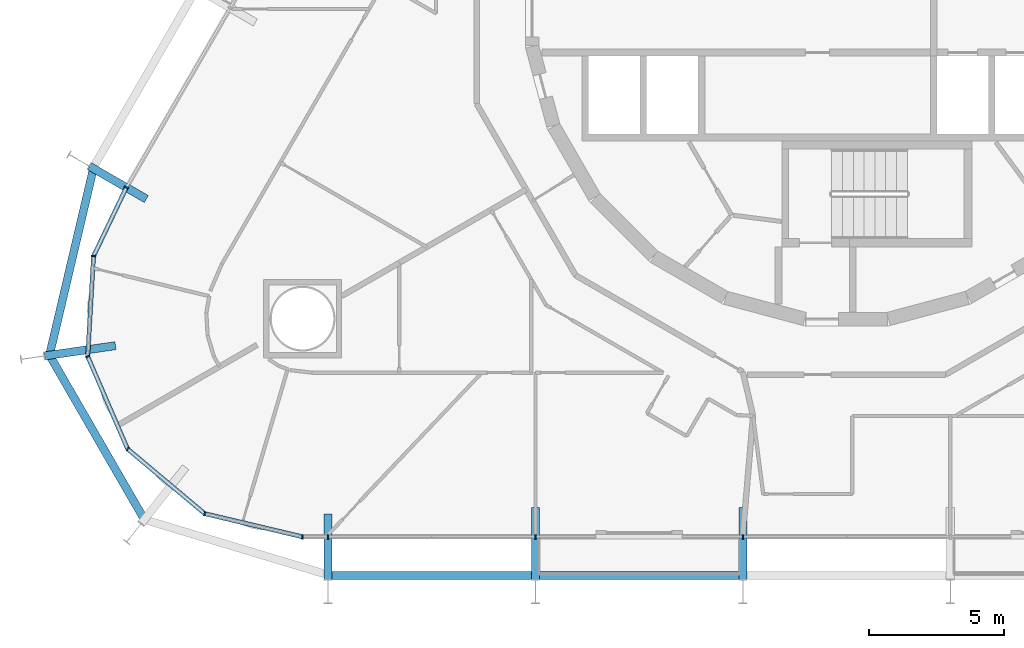
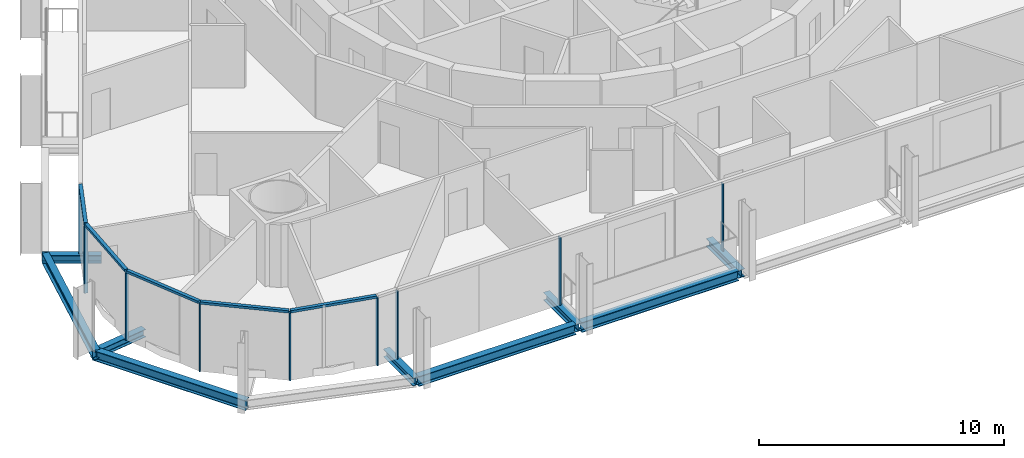
# One storey, part 3 of 20: 14 members, 9 beams, 2 elements without a shape of their own.
"""IFC4 building model written with IfcOpenShell, lengths in metres."""

from ifc_helpers import new_model, si_unit, direction, frame, origin, origin_2d, place, context, subcontext, project, spatial, rectangle, i_section, extrude, material, layer, layer_set, material_profile, profile_set, type_object, element, aggregate, save


model = new_model("IFC4")

# Units and contexts
model_context = context("Model", 3, precision=1e-05, world=origin(), true_north=direction((0.0, 1.0)))
body_context = subcontext(model_context, "Body", "Model", "MODEL_VIEW")
ifc_project = project(units=[si_unit("LENGTHUNIT", "METRE"), si_unit("AREAUNIT", "SQUARE_METRE"), si_unit("VOLUMEUNIT", "CUBIC_METRE"), si_unit("PLANEANGLEUNIT", "RADIAN"), si_unit("MASSUNIT", "GRAM", prefix="KILO")], contexts=[model_context])

# Site, building, storey
site_placement = place(None, origin())
site = spatial("IfcSite", under=ifc_project, at=site_placement, CompositionType="ELEMENT")
building_placement = place(site_placement, origin())
building = spatial("IfcBuilding", under=site, at=building_placement, Name="Spindle Arch Residences", CompositionType="ELEMENT")
storey_placement = place(building_placement, frame((0.0, 0.0, 59.39990234375)))
storey = spatial("IfcBuildingStorey", under=building, at=storey_placement, Name="L13", CompositionType="ELEMENT", Elevation=59.39990234375)

# Curtain wall, members
ifc_material_1 = material(Name="Aluminium bronze unitised frame with tinted glass", Category="aluminium")
ifc_layer_1 = layer(ifc_material_1, 0.159912109375)
ifc_layer_set_1 = layer_set([ifc_layer_1], Name="CW-D corner wall on the fillet arcs")
curtain_wall_type_1 = type_object("IfcCurtainWallType", Name="CW-D corner wall on the fillet arcs", PredefinedType="NOTDEFINED", material=ifc_layer_set_1)
curtain_wall_1_placement = place(storey_placement, origin())
curtain_wall_1 = element("IfcCurtainWall", 1, at=curtain_wall_1_placement, inside=storey, type_object=curtain_wall_type_1, Name="CW-D L13 run 5", PredefinedType="NOTDEFINED")
ifc_material_2 = material(Name="Aluminium bronze anodised mullion", Category="aluminium")
ifc_material_profile_1 = material_profile(ifc_material_2, rectangle(XDim=0.159912109375, YDim=0.06005859375, at=origin_2d()), Name="MU 60x160")
ifc_profile_set_1 = profile_set([ifc_material_profile_1], Name="Aluminium bronze anodised mullion")
member_type_1 = type_object("IfcMemberType", Name="Bronze mullion 60x160", PredefinedType="MULLION", material=ifc_profile_set_1)
member_1_placement = place(storey_placement, frame((-26.66943359375, -6.77294921875, -0.3798828125), z_axis=(0.0, 0.0, 1.0), x_axis=(0.902111889092, -0.431502189519, 0.0)))
member_1 = element("IfcMember", 2, at=member_1_placement, type_object=member_type_1, Name="CW-D mullion 00", PredefinedType="MULLION", context=body_context, shape_type="SweptSolid", body=[
    extrude(rectangle(XDim=0.159912109375, YDim=0.06005859375, at=origin_2d()), origin(), (0.0, 0.0, 1.0), 3.3798828125),
])
member_2_placement = place(storey_placement, frame((-27.884033203125, -9.3125, -0.3798828125), z_axis=(0.0, 0.0, 1.0), x_axis=(0.99830815821, -0.058144829968, 0.0)))
member_2 = element("IfcMember", 3, at=member_2_placement, type_object=member_type_1, Name="CW-D mullion 01", PredefinedType="MULLION", context=body_context, shape_type="SweptSolid", body=[
    extrude(rectangle(XDim=0.159912109375, YDim=0.06005859375, at=origin_2d()), origin(), (0.0, 0.0, 1.0), 3.3798828125),
])
member_3_placement = place(storey_placement, frame((-28.100830078125, -13.032958984375, -0.3798828125), z_axis=(0.0, 0.0, 1.0), x_axis=(0.918216106599, 0.396079766691, 0.0)))
member_3 = element("IfcMember", 4, at=member_3_placement, type_object=member_type_1, Name="CW-D mullion 02", PredefinedType="MULLION", context=body_context, shape_type="SweptSolid", body=[
    extrude(rectangle(XDim=0.159912109375, YDim=0.06005859375, at=origin_2d()), origin(), (0.0, 0.0, 1.0), 3.3798828125),
])
member_4_placement = place(storey_placement, frame((-26.624755859375, -16.454833984375, -0.3798828125), z_axis=(0.0, 0.0, 1.0), x_axis=(0.64278760716, 0.766044445239, 0.0)))
member_4 = element("IfcMember", 5, at=member_4_placement, type_object=member_type_1, Name="CW-D mullion 03", PredefinedType="MULLION", context=body_context, shape_type="SweptSolid", body=[
    extrude(rectangle(XDim=0.159912109375, YDim=0.06005859375, at=origin_2d()), origin(), (0.0, 0.0, 1.0), 3.3798828125),
])
member_5_placement = place(storey_placement, frame((-23.769775390625, -18.850341796875, -0.3798828125), z_axis=(0.0, 0.0, 1.0), x_axis=(0.230615868852, 0.973044871028, 0.0)))
member_5 = element("IfcMember", 6, at=member_5_placement, type_object=member_type_1, Name="CW-D mullion 04", PredefinedType="MULLION", context=body_context, shape_type="SweptSolid", body=[
    extrude(rectangle(XDim=0.159912109375, YDim=0.06005859375, at=origin_2d()), origin(), (0.0, 0.0, 1.0), 3.3798828125),
])
member_6_placement = place(storey_placement, frame((-20.1435546875, -19.7099609375, -0.3798828125), z_axis=(0.0, 0.0, 1.0), x_axis=(0.0, 1.0, 0.0)))
member_6 = element("IfcMember", 7, at=member_6_placement, type_object=member_type_1, Name="CW-D mullion 05", PredefinedType="MULLION", context=body_context, shape_type="SweptSolid", body=[
    extrude(rectangle(XDim=0.159912109375, YDim=0.06005859375, at=origin_2d()), origin(), (0.0, 0.0, 1.0), 3.3798828125),
])

ifc_material_3 = material(Name="Aluminium bronze unitised frame with tinted glass", Category="aluminium")
ifc_layer_2 = layer(ifc_material_3, 0.159912109375)
ifc_layer_set_2 = layer_set([ifc_layer_2], Name="CW-C typical residential unitised wall")
curtain_wall_type_2 = type_object("IfcCurtainWallType", Name="CW-C typical residential unitised wall", PredefinedType="NOTDEFINED", material=ifc_layer_set_2)
curtain_wall_2_placement = place(storey_placement, origin())
curtain_wall_2 = element("IfcCurtainWall", 8, at=curtain_wall_2_placement, inside=storey, type_object=curtain_wall_type_2, Name="CW-C L13 run 6", PredefinedType="NOTDEFINED")
member_7_placement = place(storey_placement, frame((-19.2001953125, -19.7099609375, -0.3798828125), z_axis=(0.0, 0.0, 1.0), x_axis=(0.0, 1.0, 0.0)))
member_7 = element("IfcMember", 9, at=member_7_placement, type_object=member_type_1, Name="CW-C mullion 21", PredefinedType="MULLION", context=body_context, shape_type="SweptSolid", body=[
    extrude(rectangle(XDim=0.159912109375, YDim=0.06005859375, at=origin_2d()), origin(), (0.0, 0.0, 1.0), 3.3798828125),
])
member_8_placement = place(storey_placement, frame((-11.52001953125, -19.7099609375, -0.3798828125), z_axis=(0.0, 0.0, 1.0), x_axis=(0.0, 1.0, 0.0)))
member_8 = element("IfcMember", 10, at=member_8_placement, type_object=member_type_1, Name="CW-C mullion 22", PredefinedType="MULLION", context=body_context, shape_type="SweptSolid", body=[
    extrude(rectangle(XDim=0.159912109375, YDim=0.06005859375, at=origin_2d()), origin(), (0.0, 0.0, 1.0), 3.3798828125),
])
member_9_placement = place(storey_placement, frame((-3.840087890625, -19.7099609375, -0.3798828125), z_axis=(0.0, 0.0, 1.0), x_axis=(0.0, 1.0, 0.0)))
member_9 = element("IfcMember", 11, at=member_9_placement, type_object=member_type_1, Name="CW-C mullion 23", PredefinedType="MULLION", context=body_context, shape_type="SweptSolid", body=[
    extrude(rectangle(XDim=0.159912109375, YDim=0.06005859375, at=origin_2d()), origin(), (0.0, 0.0, 1.0), 3.3798828125),
])
aggregate(curtain_wall_2, [member_7, member_8, member_9])

# Member
ifc_material_4 = material(Name="Aluminium bronze anodised transom", Category="aluminium")
ifc_material_profile_2 = material_profile(ifc_material_4, rectangle(XDim=0.159912109375, YDim=0.1201171875, at=origin_2d()), Name="TR 120x160")
ifc_profile_set_2 = profile_set([ifc_material_profile_2], Name="Aluminium bronze anodised transom")
member_type_2 = type_object("IfcMemberType", Name="Bronze transom 120x160", PredefinedType="USERDEFINED", material=ifc_profile_set_2)
member_10_placement = place(storey_placement, frame((-26.682373046875, -6.800048828125, 3.06005859375), z_axis=(-0.43147744699, -0.902123723631, 0.0), x_axis=(0.902123723631, -0.43147744699, 0.0)))
member_10 = element("IfcMember", 12, at=member_10_placement, type_object=member_type_2, Name="CW-D transom 00", ObjectType="TRANSOM", PredefinedType="USERDEFINED", context=body_context, shape_type="SweptSolid", body=[
    extrude(rectangle(XDim=0.159912109375, YDim=0.1201171875, at=origin_2d()), origin(), (0.0, 0.0, 1.0), 2.7548828125),
])

member_11_placement = place(storey_placement, frame((-27.885986328125, -9.342529296875, 3.06005859375), z_axis=(-0.058128716156, -0.998309096602, 0.0), x_axis=(0.998309096602, -0.058128716156, 0.0)))
member_11 = element("IfcMember", 13, at=member_11_placement, type_object=member_type_2, Name="CW-D transom 01", ObjectType="TRANSOM", PredefinedType="USERDEFINED", context=body_context, shape_type="SweptSolid", body=[
    extrude(rectangle(XDim=0.159912109375, YDim=0.1201171875, at=origin_2d()), origin(), (0.0, 0.0, 1.0), 3.66650390625),
])

member_12_placement = place(storey_placement, frame((-28.0888671875, -13.060546875, 3.06005859375), z_axis=(0.39603167212, -0.918236851078, 0.0), x_axis=(0.918236851078, 0.39603167212, 0.0)))
member_12 = element("IfcMember", 14, at=member_12_placement, type_object=member_type_2, Name="CW-D transom 02", ObjectType="TRANSOM", PredefinedType="USERDEFINED", context=body_context, shape_type="SweptSolid", body=[
    extrude(rectangle(XDim=0.159912109375, YDim=0.1201171875, at=origin_2d()), origin(), (0.0, 0.0, 1.0), 3.666748046875),
])

member_13_placement = place(storey_placement, frame((-26.601806640625, -16.47412109375, 3.06005859375), z_axis=(0.766006453075, -0.642832881741, 0.0), x_axis=(0.642832881741, 0.766006453075, 0.0)))
member_13 = element("IfcMember", 15, at=member_13_placement, type_object=member_type_2, Name="CW-D transom 03", ObjectType="TRANSOM", PredefinedType="USERDEFINED", context=body_context, shape_type="SweptSolid", body=[
    extrude(rectangle(XDim=0.159912109375, YDim=0.1201171875, at=origin_2d()), origin(), (0.0, 0.0, 1.0), 3.666748046875),
])

member_14_placement = place(storey_placement, frame((-23.74072265625, -18.857421875, 3.06005859375), z_axis=(0.973053560164, -0.230579203425, 0.0), x_axis=(0.230579203425, 0.973053560164, 0.0)))
member_14 = element("IfcMember", 16, at=member_14_placement, type_object=member_type_2, Name="CW-D transom 04", ObjectType="TRANSOM", PredefinedType="USERDEFINED", context=body_context, shape_type="SweptSolid", body=[
    extrude(rectangle(XDim=0.159912109375, YDim=0.1201171875, at=origin_2d()), origin(), (0.0, 0.0, 1.0), 3.666748046875),
])

aggregate(curtain_wall_1, [member_1, member_10, member_2, member_11, member_3, member_12, member_4, member_13, member_5, member_14, member_6])

# Beams
ifc_material_5 = material(Name="Steel S460ML, intumescent coating R 120", Category="steel")
ifc_material_profile_3 = material_profile(ifc_material_5, i_section(OverallWidth=0.300048828125, OverallDepth=0.5, WebThickness=0.014404296875, FlangeThickness=0.028076171875, FilletRadius=0.027099609375, at=origin_2d()), Name="HEB 500")
ifc_profile_set_3 = profile_set([ifc_material_profile_3], Name="Steel S460ML, intumescent coating R 120")
beam_type_1 = type_object("IfcBeamType", Name="Exoskeleton edge beam HEB 500", PredefinedType="BEAM", material=ifc_profile_set_3)
beam_1_placement = place(storey_placement, frame((-27.8720703125, -6.00048828125, -0.6298828125), z_axis=(-0.229185730541, -0.973382710406, 0.0), x_axis=(0.973382710406, -0.229185730541, 0.0)))
element("IfcBeam", 17, at=beam_1_placement, inside=storey, type_object=beam_type_1, Name="Exoskeleton edge beam 19", PredefinedType="BEAM", context=body_context, shape_type="SweptSolid", body=[
    extrude(i_section(OverallWidth=0.300048828125, OverallDepth=0.5, WebThickness=0.014404296875, FlangeThickness=0.028076171875, FilletRadius=0.027099609375, at=origin_2d()), origin(), (0.0, 0.0, 1.0), 7.25),
])
beam_2_placement = place(storey_placement, frame((-29.56640625, -12.892333984375, -0.6298828125), z_axis=(0.499999897272, -0.866025463095, 0.0), x_axis=(0.866025463095, 0.499999897272, 0.0)))
element("IfcBeam", 18, at=beam_2_placement, inside=storey, type_object=beam_type_1, Name="Exoskeleton edge beam 20", PredefinedType="BEAM", context=body_context, shape_type="SweptSolid", body=[
    extrude(i_section(OverallWidth=0.300048828125, OverallDepth=0.5, WebThickness=0.014404296875, FlangeThickness=0.028076171875, FilletRadius=0.027099609375, at=origin_2d()), origin(), (0.0, 0.0, 1.0), 7.236328125),
])
for number, where, z_axis, x_axis, name in (
    (19, (-19.0703125, -21.142822265625, -0.6298828125), (1.0, 0.0, 0.0), (0.0, 1.0, 0.0), "Exoskeleton edge beam 22"),
    (20, (-11.39013671875, -21.142822265625, -0.6298828125), (1.0, 0.0, 0.0), (0.0, 1.0, 0.0), "Exoskeleton edge beam 23"),
):
    element("IfcBeam", number, at=place(storey_placement, frame(where, z_axis=z_axis, x_axis=x_axis)), inside=storey, type_object=beam_type_1, Name=name, PredefinedType="BEAM", context=body_context, shape_type="SweptSolid", body=[
        extrude(i_section(OverallWidth=0.300048828125, OverallDepth=0.5, WebThickness=0.014404296875, FlangeThickness=0.028076171875, FilletRadius=0.027099609375, at=origin_2d()), origin(), (0.0, 0.0, 1.0), 7.420166015625),
    ])
ifc_material_6 = material(Name="Steel S460ML, intumescent coating R 120", Category="steel")
ifc_material_profile_4 = material_profile(ifc_material_6, i_section(OverallWidth=0.300048828125, OverallDepth=0.389892578125, WebThickness=0.010986328125, FlangeThickness=0.01904296875, FilletRadius=0.027099609375, at=origin_2d()), Name="HEA 400")
ifc_profile_set_4 = profile_set([ifc_material_profile_4], Name="Steel S460ML, intumescent coating R 120")
beam_type_2 = type_object("IfcBeamType", Name="Floor outrigger HEA 400", PredefinedType="BEAM", material=ifc_profile_set_4)
beam_3_placement = place(storey_placement, frame((-28.029052734375, -5.98779296875, -0.574951171875), z_axis=(0.866002732682, -0.500039265445, 0.0), x_axis=(0.500039265445, 0.866002732682, 0.0)))
element("IfcBeam", 21, at=beam_3_placement, inside=storey, type_object=beam_type_2, Name="Floor outrigger 19", PredefinedType="BEAM", context=body_context, shape_type="SweptSolid", body=[
    extrude(i_section(OverallWidth=0.300048828125, OverallDepth=0.389892578125, WebThickness=0.010986328125, FlangeThickness=0.01904296875, FilletRadius=0.027099609375, at=origin_2d()), origin(), (0.0, 0.0, 1.0), 2.423583984375),
])
beam_4_placement = place(storey_placement, frame((-29.694580078125, -13.009033203125, -0.574951171875), z_axis=(0.989738348309, 0.142891573883, 0.0), x_axis=(-0.142891573883, 0.989738348309, 0.0)))
element("IfcBeam", 22, at=beam_4_placement, inside=storey, type_object=beam_type_2, Name="Floor outrigger 20", PredefinedType="BEAM", context=body_context, shape_type="SweptSolid", body=[
    extrude(i_section(OverallWidth=0.300048828125, OverallDepth=0.389892578125, WebThickness=0.010986328125, FlangeThickness=0.01904296875, FilletRadius=0.027099609375, at=origin_2d()), origin(), (0.0, 0.0, 1.0), 2.64990234375),
])
beam_5_placement = place(storey_placement, frame((-19.2001953125, -21.27978515625, -0.574951171875), z_axis=(0.0, 1.0, 0.0), x_axis=(-1.0, 0.0, 0.0)))
element("IfcBeam", 23, at=beam_5_placement, inside=storey, type_object=beam_type_2, Name="Floor outrigger 22", PredefinedType="BEAM", context=body_context, shape_type="SweptSolid", body=[
    extrude(i_section(OverallWidth=0.300048828125, OverallDepth=0.389892578125, WebThickness=0.010986328125, FlangeThickness=0.01904296875, FilletRadius=0.027099609375, at=origin_2d()), origin(), (0.0, 0.0, 1.0), 2.42333984375),
])
for number, where, z_axis, x_axis, name in (
    (24, (-11.52001953125, -21.27978515625, -0.574951171875), (0.0, 1.0, 0.0), (-1.0, 0.0, 0.0), "Floor outrigger 23"),
    (25, (-3.840087890625, -21.27978515625, -0.574951171875), (0.0, 1.0, 0.0), (-1.0, 0.0, 0.0), "Floor outrigger 24"),
):
    element("IfcBeam", number, at=place(storey_placement, frame(where, z_axis=z_axis, x_axis=x_axis)), inside=storey, type_object=beam_type_2, Name=name, PredefinedType="BEAM", context=body_context, shape_type="SweptSolid", body=[
        extrude(i_section(OverallWidth=0.300048828125, OverallDepth=0.389892578125, WebThickness=0.010986328125, FlangeThickness=0.01904296875, FilletRadius=0.027099609375, at=origin_2d()), origin(), (0.0, 0.0, 1.0), 2.64990234375),
    ])

save(model, "model.ifc")
